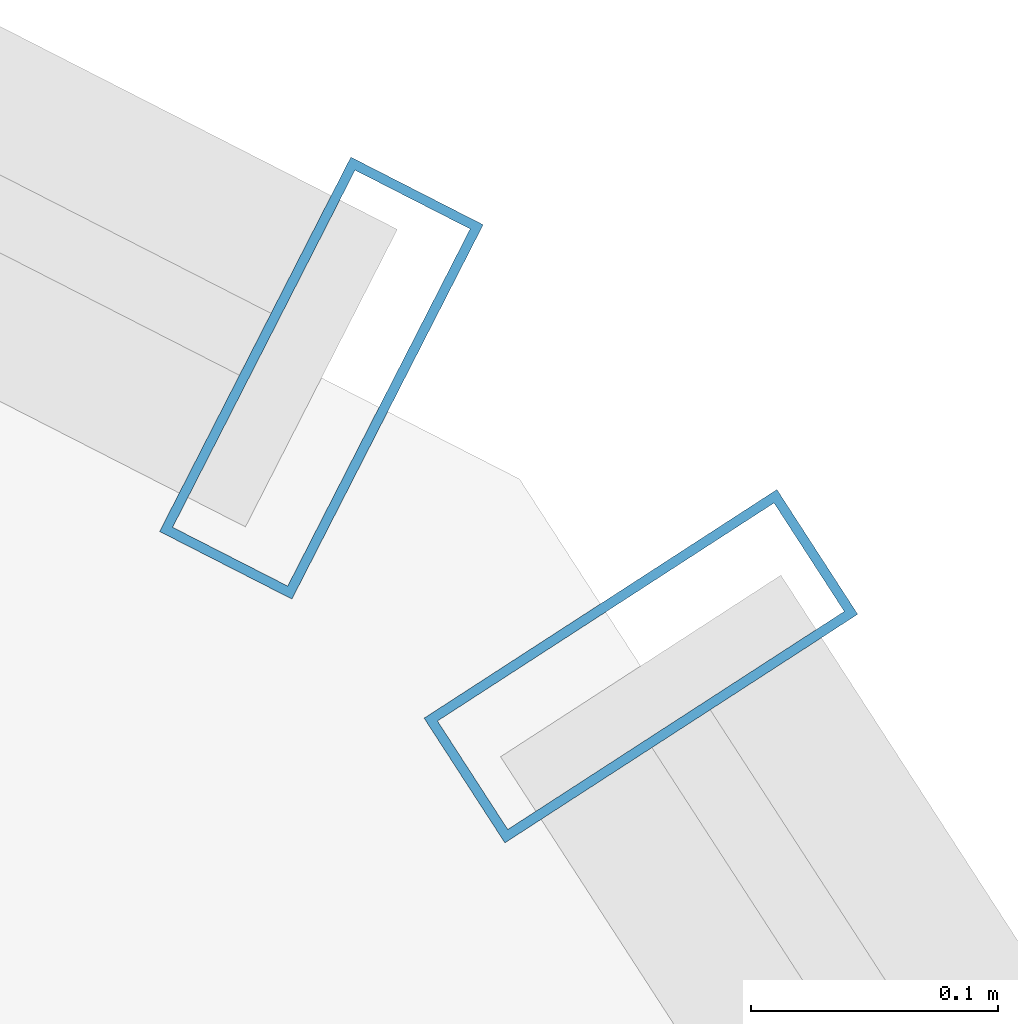
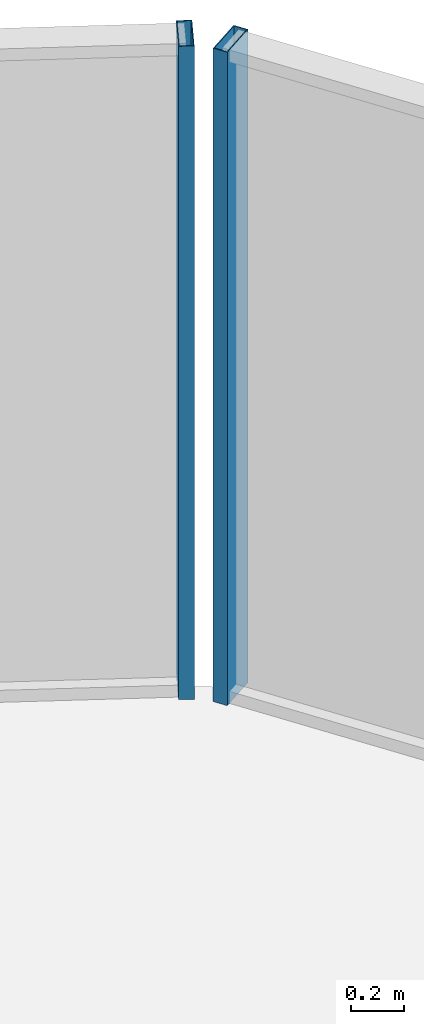
# One storey, part 31 of 37: 2 members, 2 elements without a shape of their own.
"""IFC4 building model written with IfcOpenShell, lengths in metres."""

from ifc_helpers import new_model, si_unit, direction, frame, origin, origin_2d, place, context, subcontext, project, spatial, hollow_rectangle, extrude, source, transform, mapped, material, layer, layer_set, material_profile, profile_set, type_object, element, aggregate, save


model = new_model("IFC4")

# Units and contexts
model_context = context("Model", 3, precision=1e-05, world=origin(), true_north=direction((0.0, 1.0)))
body_context = subcontext(model_context, "Body", "Model", "MODEL_VIEW")
ifc_project = project(units=[si_unit("LENGTHUNIT", "METRE"), si_unit("AREAUNIT", "SQUARE_METRE"), si_unit("VOLUMEUNIT", "CUBIC_METRE"), si_unit("PLANEANGLEUNIT", "RADIAN"), si_unit("MASSUNIT", "GRAM", prefix="KILO")], contexts=[model_context])

# Site, building, storey
site_placement = place(None, origin())
site = spatial("IfcSite", under=ifc_project, at=site_placement, CompositionType="ELEMENT")
building_placement = place(site_placement, origin())
building = spatial("IfcBuilding", under=site, at=building_placement, Name="Veraguas Prism Commons", CompositionType="ELEMENT")
storey_placement = place(building_placement, frame((0.0, 0.0, 33.800048828125)))
storey = spatial("IfcBuildingStorey", under=building, at=storey_placement, Name="L08", CompositionType="ELEMENT", Elevation=33.800048828125)

# Curtain wall, member
ifc_material = material(Name="Anodised aluminium EN AW-6063 T6", Category="aluminium")
ifc_layer = layer(ifc_material, 0.169921875, Name="Unitised Flush Curtain Wall Zone 1", Category="aluminium")
ifc_layer_set = layer_set([ifc_layer], Name="Anodised aluminium EN AW-6063 T6")
curtain_wall_type = type_object("IfcCurtainWallType", Name="Unitised Flush Curtain Wall Zone 1", PredefinedType="NOTDEFINED", material=ifc_layer_set)
curtain_wall_1_placement = place(storey_placement, origin())
curtain_wall_1 = element("IfcCurtainWall", 1, at=curtain_wall_1_placement, inside=storey, type_object=curtain_wall_type, Name="Tower Facade Curtain Wall L08-F1", PredefinedType="NOTDEFINED")
ifc_material_profile = material_profile(ifc_material, hollow_rectangle(XDim=0.06005859375, YDim=0.169921875, WallThickness=0.00390625, at=origin_2d()), Name="AL60X170X4")
ifc_profile_set = profile_set([ifc_material_profile], Name="Anodised aluminium EN AW-6063 T6")
member_type = type_object("IfcMemberType", Name="Curtain Wall Mullion Lower AL 60x170x4", PredefinedType="MULLION", material=ifc_profile_set)
shared_shape = source(origin(), body_context, "Body", "SweptSolid", [
    extrude(hollow_rectangle(XDim=0.06005859375, YDim=0.169921875, WallThickness=0.00390625, at=origin_2d()), origin(), (0.0, 0.0, 1.0), 3.0),
])
member_1_placement = place(storey_placement, frame((36.3798828125, 43.11669921875, 0.0), z_axis=(0.0, 0.0, 1.0), x_axis=(-0.543766341769, 0.839236656468, 0.0)))
member_1 = element("IfcMember", 2, at=member_1_placement, type_object=member_type, Name="CW-Z1 Mullion 5", PredefinedType="MULLION", context=body_context, shape_type="MappedRepresentation", body=[
    mapped(shared_shape, transform((0.0, 0.0, 0.0), scale=1.0)),
])
aggregate(curtain_wall_1, [member_1])

curtain_wall_2_placement = place(storey_placement, origin())
curtain_wall_2 = element("IfcCurtainWall", 3, at=curtain_wall_2_placement, inside=storey, type_object=curtain_wall_type, Name="Chamfer Curtain Wall L08-C2", PredefinedType="NOTDEFINED")
member_2_placement = place(storey_placement, frame((36.250732421875, 43.233154296875, 0.0), z_axis=(0.0, 0.0, 1.0), x_axis=(-0.890530617987, 0.454923310491, 0.0)))
member_2 = element("IfcMember", 4, at=member_2_placement, type_object=member_type, Name="CW-Z1 Mullion 1", PredefinedType="MULLION", context=body_context, shape_type="MappedRepresentation", body=[
    mapped(shared_shape, transform((0.0, 0.0, 0.0), scale=1.0)),
])
aggregate(curtain_wall_2, [member_2])

save(model, "model.ifc")
